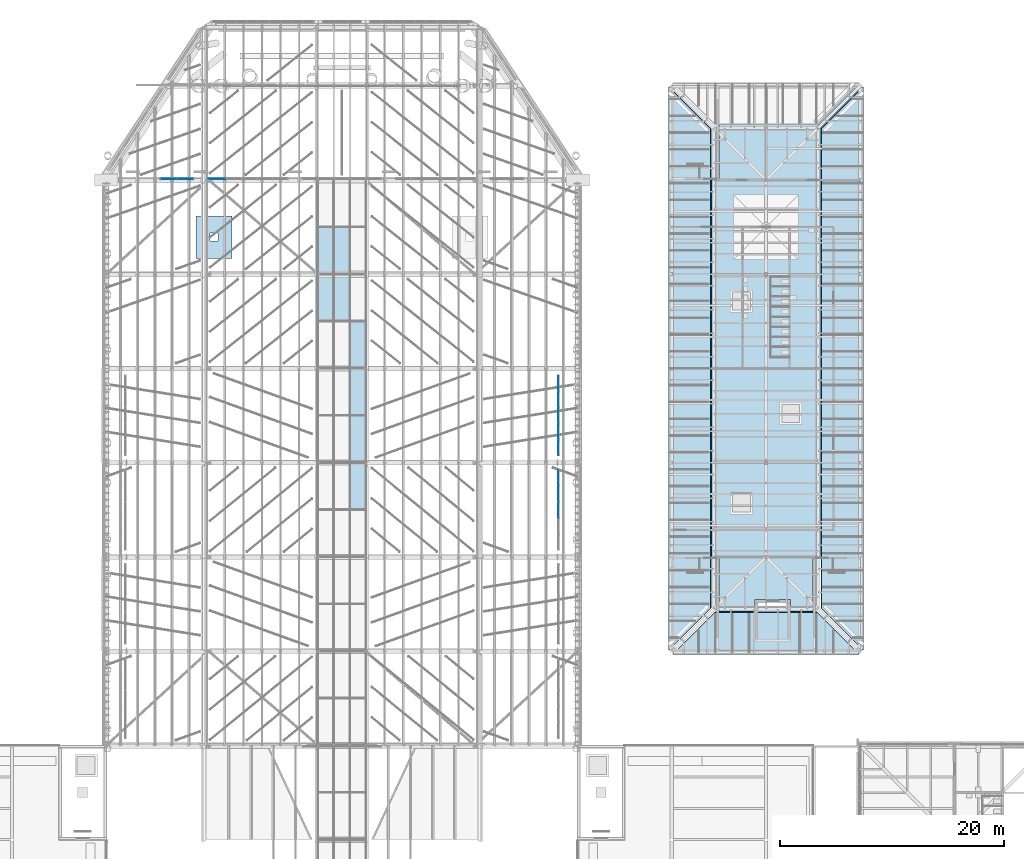
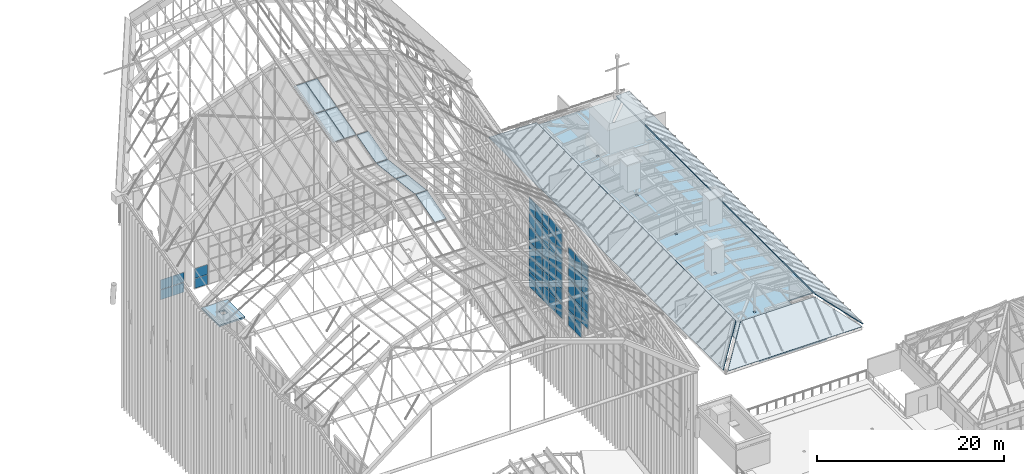
# One storey, part 75 of 126: 58 plates, 5 slabs, 4 elements without a shape of their own.
"""IFC4 building model written with IfcOpenShell, lengths in metres."""

from ifc_helpers import new_model, si_unit, direction, frame, origin, origin_2d, place, context, subcontext, project, spatial, polyline, rectangle, outline, extrude, material, layer, layer_set, type_object, element, aggregate, save


model = new_model("IFC4")

# Units and contexts
model_context = context("Model", 3, precision=1e-05, world=origin(), true_north=direction((0.0, 1.0)))
body_context = subcontext(model_context, "Body", "Model", "MODEL_VIEW")
ifc_project = project(units=[si_unit("LENGTHUNIT", "METRE"), si_unit("AREAUNIT", "SQUARE_METRE"), si_unit("VOLUMEUNIT", "CUBIC_METRE"), si_unit("PLANEANGLEUNIT", "RADIAN"), si_unit("MASSUNIT", "GRAM", prefix="KILO")], contexts=[model_context])

# Site, building, storey
site_placement = place(None, origin())
site = spatial("IfcSite", under=ifc_project, at=site_placement, CompositionType="ELEMENT")
building_placement = place(site_placement, origin())
building = spatial("IfcBuilding", under=site, at=building_placement, Name="Sava Quay Ferry Terminal", CompositionType="ELEMENT")
storey_placement = place(building_placement, frame((0.0, 0.0, 15.0)))
storey = spatial("IfcBuildingStorey", under=building, at=storey_placement, Name="L03", CompositionType="ELEMENT", Elevation=15.0)

# Slab
ifc_material_1 = material(Name="Concrete C30/37", Category="concrete")
ifc_layer_1 = layer(ifc_material_1, 0.1298828125)
ifc_layer_set_1 = layer_set([ifc_layer_1], Name="Concrete C30/37")
slab_type_1 = type_object("IfcSlabType", Name="Composite floor slab 130", PredefinedType="FLOOR", material=ifc_layer_set_1)
slab_1_placement = place(storey_placement, frame((0.0, 0.0, -0.1298828125)))
element("IfcSlab", 1, at=slab_1_placement, inside=storey, type_object=slab_type_1, Name="O floor slab L03", PredefinedType="FLOOR", context=body_context, shape_type="SweptSolid", body=[
    extrude(outline(polyline([(96.60009765625, 67.199951171875), (92.550048828125, 67.199951171875), (92.550048828125, 100.800048828125), (96.60009765625, 100.800048828125), (96.60009765625, 109.050048828125), (108.837890625, 109.050048828125), (105.27587890625, 105.48779296875), (105.48779296875, 105.27587890625), (109.050048828125, 108.837890625), (109.050048828125, 67.199951171875), (105.0, 67.199951171875), (105.0, 58.949951171875), (96.60009765625, 58.949951171875), (96.60009765625, 67.199951171875)]), holes=[polyline([(100.93994140625, 67.06005859375), (100.93994140625, 67.340087890625), (100.659912109375, 67.340087890625), (100.659912109375, 67.06005859375), (100.93994140625, 67.06005859375)]), polyline([(100.659912109375, 75.4599609375), (100.93994140625, 75.4599609375), (100.93994140625, 75.739990234375), (100.659912109375, 75.739990234375), (100.659912109375, 75.4599609375)]), polyline([(100.659912109375, 83.860107421875), (100.93994140625, 83.860107421875), (100.93994140625, 84.139892578125), (100.659912109375, 84.139892578125), (100.659912109375, 83.860107421875)]), polyline([(100.93994140625, 92.260009765625), (100.93994140625, 92.5400390625), (100.659912109375, 92.5400390625), (100.659912109375, 92.260009765625), (100.93994140625, 92.260009765625)]), polyline([(100.659912109375, 100.659912109375), (100.93994140625, 100.659912109375), (100.93994140625, 100.93994140625), (100.659912109375, 100.93994140625), (100.659912109375, 100.659912109375)]), polyline([(99.800048828125, 59.60009765625), (103.0, 59.60009765625), (103.0, 63.39990234375), (99.800048828125, 63.39990234375), (99.800048828125, 59.60009765625)])]), origin(), (0.0, 0.0, 1.0), 0.1298828125),
])

# Curtain wall, plates
ifc_material_2 = material(Name="Aluminium and glass curtain wall, double low-e glazed", Category="aluminium")
curtain_wall_type_1 = type_object("IfcCurtainWallType", Name="Curtain wall CW-F flank", PredefinedType="NOTDEFINED", material=ifc_material_2)
curtain_wall_1_placement = place(storey_placement, origin())
curtain_wall_1 = element("IfcCurtainWall", 2, at=curtain_wall_1_placement, inside=storey, type_object=curtain_wall_type_1, Name="Curtain wall D-E L03 bay 3", PredefinedType="NOTDEFINED")
ifc_material_3 = material(Name="Laminated glass, double low-e glazed unit", Category="glass")
ifc_layer_2 = layer(ifc_material_3, 0.028076171875)
ifc_layer_set_2 = layer_set([ifc_layer_2], Name="Laminated glass, double low-e glazed unit")
plate_type_1 = type_object("IfcPlateType", Name="Glass panel 28 double low-e", PredefinedType="CURTAIN_PANEL", material=ifc_layer_set_2)
plate_1_placement = place(storey_placement, frame((82.27490234375, 71.39990234375, 2.10498046875), z_axis=(0.0, 0.0, 1.0), x_axis=(0.0, 1.0, 0.0)))
plate_1 = element("IfcPlate", 3, at=plate_1_placement, type_object=plate_type_1, Name="CW47 panel 3.2", PredefinedType="CURTAIN_PANEL", context=body_context, shape_type="SweptSolid", body=[
    extrude(rectangle(XDim=1.3798828125, YDim=0.028076171875, at=origin_2d()), origin(), (0.0, 0.0, 1.0), 2.030029296875),
])
plate_2_placement = place(storey_placement, frame((82.27490234375, 71.39990234375, 4.18505859375), z_axis=(0.0, 0.0, 1.0), x_axis=(0.0, 1.0, 0.0)))
plate_2 = element("IfcPlate", 4, at=plate_2_placement, type_object=plate_type_1, Name="CW47 panel 3.3", PredefinedType="CURTAIN_PANEL", context=body_context, shape_type="SweptSolid", body=[
    extrude(rectangle(XDim=1.3798828125, YDim=0.028076171875, at=origin_2d()), origin(), (0.0, 0.0, 1.0), 2.030029296875),
])
plate_3_placement = place(storey_placement, frame((82.27490234375, 71.39990234375, 6.26513671875), z_axis=(0.0, 0.0, 1.0), x_axis=(0.0, 1.0, 0.0)))
plate_3 = element("IfcPlate", 5, at=plate_3_placement, type_object=plate_type_1, Name="CW47 panel 3.4", PredefinedType="CURTAIN_PANEL", context=body_context, shape_type="SweptSolid", body=[
    extrude(rectangle(XDim=1.3798828125, YDim=0.028076171875, at=origin_2d()), origin(), (0.0, 0.0, 1.0), 2.030029296875),
])
plate_4_placement = place(storey_placement, frame((82.27490234375, 71.39990234375, 8.344970703125), z_axis=(0.0, 0.0, 1.0), x_axis=(0.0, 1.0, 0.0)))
plate_4 = element("IfcPlate", 6, at=plate_4_placement, type_object=plate_type_1, Name="CW47 panel 3.5", PredefinedType="CURTAIN_PANEL", context=body_context, shape_type="SweptSolid", body=[
    extrude(rectangle(XDim=1.3798828125, YDim=0.028076171875, at=origin_2d()), origin(), (0.0, 0.0, 1.0), 2.0048828125),
])
plate_5_placement = place(storey_placement, frame((82.27490234375, 72.840087890625, 0.050048828125), z_axis=(0.0, 0.0, 1.0), x_axis=(0.0, 1.0, 0.0)))
plate_5 = element("IfcPlate", 7, at=plate_5_placement, type_object=plate_type_1, Name="CW47 panel 4.1", PredefinedType="CURTAIN_PANEL", context=body_context, shape_type="SweptSolid", body=[
    extrude(rectangle(XDim=1.3798828125, YDim=0.028076171875, at=origin_2d()), origin(), (0.0, 0.0, 1.0), 2.0048828125),
])
plate_6_placement = place(storey_placement, frame((82.27490234375, 72.840087890625, 2.10498046875), z_axis=(0.0, 0.0, 1.0), x_axis=(0.0, 1.0, 0.0)))
plate_6 = element("IfcPlate", 8, at=plate_6_placement, type_object=plate_type_1, Name="CW47 panel 4.2", PredefinedType="CURTAIN_PANEL", context=body_context, shape_type="SweptSolid", body=[
    extrude(rectangle(XDim=1.3798828125, YDim=0.028076171875, at=origin_2d()), origin(), (0.0, 0.0, 1.0), 2.030029296875),
])
plate_7_placement = place(storey_placement, frame((82.27490234375, 72.840087890625, 4.18505859375), z_axis=(0.0, 0.0, 1.0), x_axis=(0.0, 1.0, 0.0)))
plate_7 = element("IfcPlate", 9, at=plate_7_placement, type_object=plate_type_1, Name="CW47 panel 4.3", PredefinedType="CURTAIN_PANEL", context=body_context, shape_type="SweptSolid", body=[
    extrude(rectangle(XDim=1.3798828125, YDim=0.028076171875, at=origin_2d()), origin(), (0.0, 0.0, 1.0), 2.030029296875),
])
plate_8_placement = place(storey_placement, frame((82.27490234375, 72.840087890625, 6.26513671875), z_axis=(0.0, 0.0, 1.0), x_axis=(0.0, 1.0, 0.0)))
plate_8 = element("IfcPlate", 10, at=plate_8_placement, type_object=plate_type_1, Name="CW47 panel 4.4", PredefinedType="CURTAIN_PANEL", context=body_context, shape_type="SweptSolid", body=[
    extrude(rectangle(XDim=1.3798828125, YDim=0.028076171875, at=origin_2d()), origin(), (0.0, 0.0, 1.0), 2.030029296875),
])
plate_9_placement = place(storey_placement, frame((82.27490234375, 72.840087890625, 8.344970703125), z_axis=(0.0, 0.0, 1.0), x_axis=(0.0, 1.0, 0.0)))
plate_9 = element("IfcPlate", 11, at=plate_9_placement, type_object=plate_type_1, Name="CW47 panel 4.5", PredefinedType="CURTAIN_PANEL", context=body_context, shape_type="SweptSolid", body=[
    extrude(rectangle(XDim=1.3798828125, YDim=0.028076171875, at=origin_2d()), origin(), (0.0, 0.0, 1.0), 2.0048828125),
])
plate_10_placement = place(storey_placement, frame((82.27490234375, 74.264892578125, 0.050048828125), z_axis=(0.0, 0.0, 1.0), x_axis=(0.0, 1.0, 0.0)))
plate_10 = element("IfcPlate", 12, at=plate_10_placement, type_object=plate_type_1, Name="CW47 panel 5.1", PredefinedType="CURTAIN_PANEL", context=body_context, shape_type="SweptSolid", body=[
    extrude(rectangle(XDim=1.35009765625, YDim=0.028076171875, at=origin_2d()), origin(), (0.0, 0.0, 1.0), 2.0048828125),
])
plate_11_placement = place(storey_placement, frame((82.27490234375, 74.264892578125, 2.10498046875), z_axis=(0.0, 0.0, 1.0), x_axis=(0.0, 1.0, 0.0)))
plate_11 = element("IfcPlate", 13, at=plate_11_placement, type_object=plate_type_1, Name="CW47 panel 5.2", PredefinedType="CURTAIN_PANEL", context=body_context, shape_type="SweptSolid", body=[
    extrude(rectangle(XDim=1.35009765625, YDim=0.028076171875, at=origin_2d()), origin(), (0.0, 0.0, 1.0), 2.030029296875),
])
plate_12_placement = place(storey_placement, frame((82.27490234375, 74.264892578125, 4.18505859375), z_axis=(0.0, 0.0, 1.0), x_axis=(0.0, 1.0, 0.0)))
plate_12 = element("IfcPlate", 14, at=plate_12_placement, type_object=plate_type_1, Name="CW47 panel 5.3", PredefinedType="CURTAIN_PANEL", context=body_context, shape_type="SweptSolid", body=[
    extrude(rectangle(XDim=1.35009765625, YDim=0.028076171875, at=origin_2d()), origin(), (0.0, 0.0, 1.0), 2.030029296875),
])
plate_13_placement = place(storey_placement, frame((82.27490234375, 74.264892578125, 6.26513671875), z_axis=(0.0, 0.0, 1.0), x_axis=(0.0, 1.0, 0.0)))
plate_13 = element("IfcPlate", 15, at=plate_13_placement, type_object=plate_type_1, Name="CW47 panel 5.4", PredefinedType="CURTAIN_PANEL", context=body_context, shape_type="SweptSolid", body=[
    extrude(rectangle(XDim=1.35009765625, YDim=0.028076171875, at=origin_2d()), origin(), (0.0, 0.0, 1.0), 2.030029296875),
])
plate_14_placement = place(storey_placement, frame((82.27490234375, 74.264892578125, 8.344970703125), z_axis=(0.0, 0.0, 1.0), x_axis=(0.0, 1.0, 0.0)))
plate_14 = element("IfcPlate", 16, at=plate_14_placement, type_object=plate_type_1, Name="CW47 panel 5.5", PredefinedType="CURTAIN_PANEL", context=body_context, shape_type="SweptSolid", body=[
    extrude(rectangle(XDim=1.35009765625, YDim=0.028076171875, at=origin_2d()), origin(), (0.0, 0.0, 1.0), 2.0048828125),
])
aggregate(curtain_wall_1, [plate_1, plate_2, plate_3, plate_4, plate_5, plate_6, plate_7, plate_8, plate_9, plate_10, plate_11, plate_12, plate_13, plate_14])

curtain_wall_2_placement = place(storey_placement, origin())
curtain_wall_2 = element("IfcCurtainWall", 17, at=curtain_wall_2_placement, inside=storey, type_object=curtain_wall_type_1, Name="Curtain wall D-E L03 bay 4", PredefinedType="NOTDEFINED")
plate_15_placement = place(storey_placement, frame((82.27490234375, 76.93505859375, 0.050048828125), z_axis=(0.0, 0.0, 1.0), x_axis=(0.0, 1.0, 0.0)))
plate_15 = element("IfcPlate", 18, at=plate_15_placement, type_object=plate_type_1, Name="CW50 panel 1.1", PredefinedType="CURTAIN_PANEL", context=body_context, shape_type="SweptSolid", body=[
    extrude(rectangle(XDim=1.35009765625, YDim=0.028076171875, at=origin_2d()), origin(), (0.0, 0.0, 1.0), 1.88330078125),
])
plate_16_placement = place(storey_placement, frame((82.27490234375, 76.93505859375, 1.9833984375), z_axis=(0.0, 0.0, 1.0), x_axis=(0.0, 1.0, 0.0)))
plate_16 = element("IfcPlate", 19, at=plate_16_placement, type_object=plate_type_1, Name="CW50 panel 1.2", PredefinedType="CURTAIN_PANEL", context=body_context, shape_type="SweptSolid", body=[
    extrude(rectangle(XDim=1.35009765625, YDim=0.028076171875, at=origin_2d()), origin(), (0.0, 0.0, 1.0), 1.908447265625),
])
plate_17_placement = place(storey_placement, frame((82.27490234375, 76.93505859375, 3.941650390625), z_axis=(0.0, 0.0, 1.0), x_axis=(0.0, 1.0, 0.0)))
plate_17 = element("IfcPlate", 20, at=plate_17_placement, type_object=plate_type_1, Name="CW50 panel 1.3", PredefinedType="CURTAIN_PANEL", context=body_context, shape_type="SweptSolid", body=[
    extrude(rectangle(XDim=1.35009765625, YDim=0.028076171875, at=origin_2d()), origin(), (0.0, 0.0, 1.0), 1.908203125),
])
plate_18_placement = place(storey_placement, frame((82.27490234375, 76.93505859375, 5.900146484375), z_axis=(0.0, 0.0, 1.0), x_axis=(0.0, 1.0, 0.0)))
plate_18 = element("IfcPlate", 21, at=plate_18_placement, type_object=plate_type_1, Name="CW50 panel 1.4", PredefinedType="CURTAIN_PANEL", context=body_context, shape_type="SweptSolid", body=[
    extrude(rectangle(XDim=1.35009765625, YDim=0.028076171875, at=origin_2d()), origin(), (0.0, 0.0, 1.0), 1.908203125),
])
plate_19_placement = place(storey_placement, frame((82.27490234375, 76.93505859375, 7.8583984375), z_axis=(0.0, 0.0, 1.0), x_axis=(0.0, 1.0, 0.0)))
plate_19 = element("IfcPlate", 22, at=plate_19_placement, type_object=plate_type_1, Name="CW50 panel 1.5", PredefinedType="CURTAIN_PANEL", context=body_context, shape_type="SweptSolid", body=[
    extrude(rectangle(XDim=1.35009765625, YDim=0.028076171875, at=origin_2d()), origin(), (0.0, 0.0, 1.0), 1.908447265625),
])
plate_20_placement = place(storey_placement, frame((82.27490234375, 76.93505859375, 9.816650390625), z_axis=(0.0, 0.0, 1.0), x_axis=(0.0, 1.0, 0.0)))
plate_20 = element("IfcPlate", 23, at=plate_20_placement, type_object=plate_type_1, Name="CW50 panel 1.6", PredefinedType="CURTAIN_PANEL", context=body_context, shape_type="SweptSolid", body=[
    extrude(rectangle(XDim=1.35009765625, YDim=0.028076171875, at=origin_2d()), origin(), (0.0, 0.0, 1.0), 1.88330078125),
])
plate_21_placement = place(storey_placement, frame((82.27490234375, 78.360107421875, 0.050048828125), z_axis=(0.0, 0.0, 1.0), x_axis=(0.0, 1.0, 0.0)))
plate_21 = element("IfcPlate", 24, at=plate_21_placement, type_object=plate_type_1, Name="CW50 panel 2.1", PredefinedType="CURTAIN_PANEL", context=body_context, shape_type="SweptSolid", body=[
    extrude(rectangle(XDim=1.3798828125, YDim=0.028076171875, at=origin_2d()), origin(), (0.0, 0.0, 1.0), 1.88330078125),
])
plate_22_placement = place(storey_placement, frame((82.27490234375, 78.360107421875, 1.9833984375), z_axis=(0.0, 0.0, 1.0), x_axis=(0.0, 1.0, 0.0)))
plate_22 = element("IfcPlate", 25, at=plate_22_placement, type_object=plate_type_1, Name="CW50 panel 2.2", PredefinedType="CURTAIN_PANEL", context=body_context, shape_type="SweptSolid", body=[
    extrude(rectangle(XDim=1.3798828125, YDim=0.028076171875, at=origin_2d()), origin(), (0.0, 0.0, 1.0), 1.908447265625),
])
plate_23_placement = place(storey_placement, frame((82.27490234375, 78.360107421875, 3.941650390625), z_axis=(0.0, 0.0, 1.0), x_axis=(0.0, 1.0, 0.0)))
plate_23 = element("IfcPlate", 26, at=plate_23_placement, type_object=plate_type_1, Name="CW50 panel 2.3", PredefinedType="CURTAIN_PANEL", context=body_context, shape_type="SweptSolid", body=[
    extrude(rectangle(XDim=1.3798828125, YDim=0.028076171875, at=origin_2d()), origin(), (0.0, 0.0, 1.0), 1.908203125),
])
plate_24_placement = place(storey_placement, frame((82.27490234375, 78.360107421875, 5.900146484375), z_axis=(0.0, 0.0, 1.0), x_axis=(0.0, 1.0, 0.0)))
plate_24 = element("IfcPlate", 27, at=plate_24_placement, type_object=plate_type_1, Name="CW50 panel 2.4", PredefinedType="CURTAIN_PANEL", context=body_context, shape_type="SweptSolid", body=[
    extrude(rectangle(XDim=1.3798828125, YDim=0.028076171875, at=origin_2d()), origin(), (0.0, 0.0, 1.0), 1.908203125),
])
plate_25_placement = place(storey_placement, frame((82.27490234375, 78.360107421875, 7.8583984375), z_axis=(0.0, 0.0, 1.0), x_axis=(0.0, 1.0, 0.0)))
plate_25 = element("IfcPlate", 28, at=plate_25_placement, type_object=plate_type_1, Name="CW50 panel 2.5", PredefinedType="CURTAIN_PANEL", context=body_context, shape_type="SweptSolid", body=[
    extrude(rectangle(XDim=1.3798828125, YDim=0.028076171875, at=origin_2d()), origin(), (0.0, 0.0, 1.0), 1.908447265625),
])
plate_26_placement = place(storey_placement, frame((82.27490234375, 78.360107421875, 9.816650390625), z_axis=(0.0, 0.0, 1.0), x_axis=(0.0, 1.0, 0.0)))
plate_26 = element("IfcPlate", 29, at=plate_26_placement, type_object=plate_type_1, Name="CW50 panel 2.6", PredefinedType="CURTAIN_PANEL", context=body_context, shape_type="SweptSolid", body=[
    extrude(rectangle(XDim=1.3798828125, YDim=0.028076171875, at=origin_2d()), origin(), (0.0, 0.0, 1.0), 1.88330078125),
])
plate_27_placement = place(storey_placement, frame((82.27490234375, 79.800048828125, 0.050048828125), z_axis=(0.0, 0.0, 1.0), x_axis=(0.0, 1.0, 0.0)))
plate_27 = element("IfcPlate", 30, at=plate_27_placement, type_object=plate_type_1, Name="CW50 panel 3.1", PredefinedType="CURTAIN_PANEL", context=body_context, shape_type="SweptSolid", body=[
    extrude(rectangle(XDim=1.3798828125, YDim=0.028076171875, at=origin_2d()), origin(), (0.0, 0.0, 1.0), 1.88330078125),
])
plate_28_placement = place(storey_placement, frame((82.27490234375, 79.800048828125, 1.9833984375), z_axis=(0.0, 0.0, 1.0), x_axis=(0.0, 1.0, 0.0)))
plate_28 = element("IfcPlate", 31, at=plate_28_placement, type_object=plate_type_1, Name="CW50 panel 3.2", PredefinedType="CURTAIN_PANEL", context=body_context, shape_type="SweptSolid", body=[
    extrude(rectangle(XDim=1.3798828125, YDim=0.028076171875, at=origin_2d()), origin(), (0.0, 0.0, 1.0), 1.908447265625),
])
plate_29_placement = place(storey_placement, frame((82.27490234375, 79.800048828125, 3.941650390625), z_axis=(0.0, 0.0, 1.0), x_axis=(0.0, 1.0, 0.0)))
plate_29 = element("IfcPlate", 32, at=plate_29_placement, type_object=plate_type_1, Name="CW50 panel 3.3", PredefinedType="CURTAIN_PANEL", context=body_context, shape_type="SweptSolid", body=[
    extrude(rectangle(XDim=1.3798828125, YDim=0.028076171875, at=origin_2d()), origin(), (0.0, 0.0, 1.0), 1.908203125),
])
plate_30_placement = place(storey_placement, frame((82.27490234375, 79.800048828125, 5.900146484375), z_axis=(0.0, 0.0, 1.0), x_axis=(0.0, 1.0, 0.0)))
plate_30 = element("IfcPlate", 33, at=plate_30_placement, type_object=plate_type_1, Name="CW50 panel 3.4", PredefinedType="CURTAIN_PANEL", context=body_context, shape_type="SweptSolid", body=[
    extrude(rectangle(XDim=1.3798828125, YDim=0.028076171875, at=origin_2d()), origin(), (0.0, 0.0, 1.0), 1.908203125),
])
plate_31_placement = place(storey_placement, frame((82.27490234375, 79.800048828125, 7.8583984375), z_axis=(0.0, 0.0, 1.0), x_axis=(0.0, 1.0, 0.0)))
plate_31 = element("IfcPlate", 34, at=plate_31_placement, type_object=plate_type_1, Name="CW50 panel 3.5", PredefinedType="CURTAIN_PANEL", context=body_context, shape_type="SweptSolid", body=[
    extrude(rectangle(XDim=1.3798828125, YDim=0.028076171875, at=origin_2d()), origin(), (0.0, 0.0, 1.0), 1.908447265625),
])
plate_32_placement = place(storey_placement, frame((82.27490234375, 79.800048828125, 9.816650390625), z_axis=(0.0, 0.0, 1.0), x_axis=(0.0, 1.0, 0.0)))
plate_32 = element("IfcPlate", 35, at=plate_32_placement, type_object=plate_type_1, Name="CW50 panel 3.6", PredefinedType="CURTAIN_PANEL", context=body_context, shape_type="SweptSolid", body=[
    extrude(rectangle(XDim=1.3798828125, YDim=0.028076171875, at=origin_2d()), origin(), (0.0, 0.0, 1.0), 1.88330078125),
])
plate_33_placement = place(storey_placement, frame((82.27490234375, 81.239990234375, 0.050048828125), z_axis=(0.0, 0.0, 1.0), x_axis=(0.0, 1.0, 0.0)))
plate_33 = element("IfcPlate", 36, at=plate_33_placement, type_object=plate_type_1, Name="CW50 panel 4.1", PredefinedType="CURTAIN_PANEL", context=body_context, shape_type="SweptSolid", body=[
    extrude(rectangle(XDim=1.3798828125, YDim=0.028076171875, at=origin_2d()), origin(), (0.0, 0.0, 1.0), 1.88330078125),
])
plate_34_placement = place(storey_placement, frame((82.27490234375, 81.239990234375, 1.9833984375), z_axis=(0.0, 0.0, 1.0), x_axis=(0.0, 1.0, 0.0)))
plate_34 = element("IfcPlate", 37, at=plate_34_placement, type_object=plate_type_1, Name="CW50 panel 4.2", PredefinedType="CURTAIN_PANEL", context=body_context, shape_type="SweptSolid", body=[
    extrude(rectangle(XDim=1.3798828125, YDim=0.028076171875, at=origin_2d()), origin(), (0.0, 0.0, 1.0), 1.908447265625),
])
plate_35_placement = place(storey_placement, frame((82.27490234375, 81.239990234375, 3.941650390625), z_axis=(0.0, 0.0, 1.0), x_axis=(0.0, 1.0, 0.0)))
plate_35 = element("IfcPlate", 38, at=plate_35_placement, type_object=plate_type_1, Name="CW50 panel 4.3", PredefinedType="CURTAIN_PANEL", context=body_context, shape_type="SweptSolid", body=[
    extrude(rectangle(XDim=1.3798828125, YDim=0.028076171875, at=origin_2d()), origin(), (0.0, 0.0, 1.0), 1.908203125),
])
plate_36_placement = place(storey_placement, frame((82.27490234375, 81.239990234375, 5.900146484375), z_axis=(0.0, 0.0, 1.0), x_axis=(0.0, 1.0, 0.0)))
plate_36 = element("IfcPlate", 39, at=plate_36_placement, type_object=plate_type_1, Name="CW50 panel 4.4", PredefinedType="CURTAIN_PANEL", context=body_context, shape_type="SweptSolid", body=[
    extrude(rectangle(XDim=1.3798828125, YDim=0.028076171875, at=origin_2d()), origin(), (0.0, 0.0, 1.0), 1.908203125),
])
plate_37_placement = place(storey_placement, frame((82.27490234375, 81.239990234375, 7.8583984375), z_axis=(0.0, 0.0, 1.0), x_axis=(0.0, 1.0, 0.0)))
plate_37 = element("IfcPlate", 40, at=plate_37_placement, type_object=plate_type_1, Name="CW50 panel 4.5", PredefinedType="CURTAIN_PANEL", context=body_context, shape_type="SweptSolid", body=[
    extrude(rectangle(XDim=1.3798828125, YDim=0.028076171875, at=origin_2d()), origin(), (0.0, 0.0, 1.0), 1.908447265625),
])
plate_38_placement = place(storey_placement, frame((82.27490234375, 81.239990234375, 9.816650390625), z_axis=(0.0, 0.0, 1.0), x_axis=(0.0, 1.0, 0.0)))
plate_38 = element("IfcPlate", 41, at=plate_38_placement, type_object=plate_type_1, Name="CW50 panel 4.6", PredefinedType="CURTAIN_PANEL", context=body_context, shape_type="SweptSolid", body=[
    extrude(rectangle(XDim=1.3798828125, YDim=0.028076171875, at=origin_2d()), origin(), (0.0, 0.0, 1.0), 1.88330078125),
])
plate_39_placement = place(storey_placement, frame((82.27490234375, 82.6650390625, 0.050048828125), z_axis=(0.0, 0.0, 1.0), x_axis=(0.0, 1.0, 0.0)))
plate_39 = element("IfcPlate", 42, at=plate_39_placement, type_object=plate_type_1, Name="CW50 panel 5.1", PredefinedType="CURTAIN_PANEL", context=body_context, shape_type="SweptSolid", body=[
    extrude(rectangle(XDim=1.35009765625, YDim=0.028076171875, at=origin_2d()), origin(), (0.0, 0.0, 1.0), 1.88330078125),
])
plate_40_placement = place(storey_placement, frame((82.27490234375, 82.6650390625, 1.9833984375), z_axis=(0.0, 0.0, 1.0), x_axis=(0.0, 1.0, 0.0)))
plate_40 = element("IfcPlate", 43, at=plate_40_placement, type_object=plate_type_1, Name="CW50 panel 5.2", PredefinedType="CURTAIN_PANEL", context=body_context, shape_type="SweptSolid", body=[
    extrude(rectangle(XDim=1.35009765625, YDim=0.028076171875, at=origin_2d()), origin(), (0.0, 0.0, 1.0), 1.908447265625),
])
plate_41_placement = place(storey_placement, frame((82.27490234375, 82.6650390625, 3.941650390625), z_axis=(0.0, 0.0, 1.0), x_axis=(0.0, 1.0, 0.0)))
plate_41 = element("IfcPlate", 44, at=plate_41_placement, type_object=plate_type_1, Name="CW50 panel 5.3", PredefinedType="CURTAIN_PANEL", context=body_context, shape_type="SweptSolid", body=[
    extrude(rectangle(XDim=1.35009765625, YDim=0.028076171875, at=origin_2d()), origin(), (0.0, 0.0, 1.0), 1.908203125),
])
plate_42_placement = place(storey_placement, frame((82.27490234375, 82.6650390625, 5.900146484375), z_axis=(0.0, 0.0, 1.0), x_axis=(0.0, 1.0, 0.0)))
plate_42 = element("IfcPlate", 45, at=plate_42_placement, type_object=plate_type_1, Name="CW50 panel 5.4", PredefinedType="CURTAIN_PANEL", context=body_context, shape_type="SweptSolid", body=[
    extrude(rectangle(XDim=1.35009765625, YDim=0.028076171875, at=origin_2d()), origin(), (0.0, 0.0, 1.0), 1.908203125),
])
plate_43_placement = place(storey_placement, frame((82.27490234375, 82.6650390625, 7.8583984375), z_axis=(0.0, 0.0, 1.0), x_axis=(0.0, 1.0, 0.0)))
plate_43 = element("IfcPlate", 46, at=plate_43_placement, type_object=plate_type_1, Name="CW50 panel 5.5", PredefinedType="CURTAIN_PANEL", context=body_context, shape_type="SweptSolid", body=[
    extrude(rectangle(XDim=1.35009765625, YDim=0.028076171875, at=origin_2d()), origin(), (0.0, 0.0, 1.0), 1.908447265625),
])
plate_44_placement = place(storey_placement, frame((82.27490234375, 82.6650390625, 9.816650390625), z_axis=(0.0, 0.0, 1.0), x_axis=(0.0, 1.0, 0.0)))
plate_44 = element("IfcPlate", 47, at=plate_44_placement, type_object=plate_type_1, Name="CW50 panel 5.6", PredefinedType="CURTAIN_PANEL", context=body_context, shape_type="SweptSolid", body=[
    extrude(rectangle(XDim=1.35009765625, YDim=0.028076171875, at=origin_2d()), origin(), (0.0, 0.0, 1.0), 1.88330078125),
])
aggregate(curtain_wall_2, [plate_15, plate_16, plate_17, plate_18, plate_19, plate_20, plate_21, plate_22, plate_23, plate_24, plate_25, plate_26, plate_27, plate_28, plate_29, plate_30, plate_31, plate_32, plate_33, plate_34, plate_35, plate_36, plate_37, plate_38, plate_39, plate_40, plate_41, plate_42, plate_43, plate_44])

ifc_material_4 = material(Name="Aluminium and glass curtain wall, double low-e glazed", Category="aluminium")
curtain_wall_type_2 = type_object("IfcCurtainWallType", Name="Curtain wall CW-G gable", PredefinedType="NOTDEFINED", material=ifc_material_4)
curtain_wall_3_placement = place(storey_placement, origin())
curtain_wall_3 = element("IfcCurtainWall", 48, at=curtain_wall_3_placement, inside=storey, type_object=curtain_wall_type_2, Name="Curtain wall D-N L03 bay 11", PredefinedType="NOTDEFINED")
plate_45_placement = place(storey_placement, frame((47.550048828125, 100.885009765625, 0.050048828125), z_axis=(0.0, 0.0, 1.0), x_axis=(1.0, 0.0, 0.0)))
plate_45 = element("IfcPlate", 49, at=plate_45_placement, type_object=plate_type_1, Name="CW60 panel 1.1", PredefinedType="CURTAIN_PANEL", context=body_context, shape_type="SweptSolid", body=[
    extrude(rectangle(XDim=1.419921875, YDim=0.028076171875, at=origin_2d()), origin(), (0.0, 0.0, 1.0), 1.27490234375),
])
plate_46_placement = place(storey_placement, frame((47.550048828125, 100.885009765625, 1.375), z_axis=(0.0, 0.0, 1.0), x_axis=(1.0, 0.0, 0.0)))
plate_46 = element("IfcPlate", 50, at=plate_46_placement, type_object=plate_type_1, Name="CW60 panel 1.2", PredefinedType="CURTAIN_PANEL", context=body_context, shape_type="SweptSolid", body=[
    extrude(rectangle(XDim=1.419921875, YDim=0.028076171875, at=origin_2d()), origin(), (0.0, 0.0, 1.0), 1.27490234375),
])
plate_47_placement = place(storey_placement, frame((49.030029296875, 100.885009765625, 0.050048828125), z_axis=(0.0, 0.0, 1.0), x_axis=(1.0, 0.0, 0.0)))
plate_47 = element("IfcPlate", 51, at=plate_47_placement, type_object=plate_type_1, Name="CW60 panel 2.1", PredefinedType="CURTAIN_PANEL", context=body_context, shape_type="SweptSolid", body=[
    extrude(rectangle(XDim=1.419921875, YDim=0.028076171875, at=origin_2d()), origin(), (0.0, 0.0, 1.0), 1.27490234375),
])
plate_48_placement = place(storey_placement, frame((49.030029296875, 100.885009765625, 1.375), z_axis=(0.0, 0.0, 1.0), x_axis=(1.0, 0.0, 0.0)))
plate_48 = element("IfcPlate", 52, at=plate_48_placement, type_object=plate_type_1, Name="CW60 panel 2.2", PredefinedType="CURTAIN_PANEL", context=body_context, shape_type="SweptSolid", body=[
    extrude(rectangle(XDim=1.419921875, YDim=0.028076171875, at=origin_2d()), origin(), (0.0, 0.0, 1.0), 1.27490234375),
])
aggregate(curtain_wall_3, [plate_45, plate_46, plate_47, plate_48])

curtain_wall_4_placement = place(storey_placement, origin())
curtain_wall_4 = element("IfcCurtainWall", 53, at=curtain_wall_4_placement, inside=storey, type_object=curtain_wall_type_2, Name="Curtain wall D-N L03 bay 12", PredefinedType="NOTDEFINED")
plate_49_placement = place(storey_placement, frame((51.85009765625, 100.885009765625, 0.050048828125), z_axis=(0.0, 0.0, 1.0), x_axis=(1.0, 0.0, 0.0)))
plate_49 = element("IfcPlate", 54, at=plate_49_placement, type_object=plate_type_1, Name="CW64 panel 1.1", PredefinedType="CURTAIN_PANEL", context=body_context, shape_type="SweptSolid", body=[
    extrude(rectangle(XDim=1.580078125, YDim=0.028076171875, at=origin_2d()), origin(), (0.0, 0.0, 1.0), 1.27490234375),
])
plate_50_placement = place(storey_placement, frame((51.85009765625, 100.885009765625, 1.375), z_axis=(0.0, 0.0, 1.0), x_axis=(1.0, 0.0, 0.0)))
plate_50 = element("IfcPlate", 55, at=plate_50_placement, type_object=plate_type_1, Name="CW64 panel 1.2", PredefinedType="CURTAIN_PANEL", context=body_context, shape_type="SweptSolid", body=[
    extrude(rectangle(XDim=1.580078125, YDim=0.028076171875, at=origin_2d()), origin(), (0.0, 0.0, 1.0), 1.27490234375),
])
aggregate(curtain_wall_4, [plate_49, plate_50])

# Slabs
ifc_material_5 = material(Name="Concrete C35/45", Category="concrete")
ifc_layer_3 = layer(ifc_material_5, 0.199951171875)
ifc_layer_set_3 = layer_set([ifc_layer_3], Name="Concrete C35/45")
slab_type_2 = type_object("IfcSlabType", Name="RC core roof slab 200", PredefinedType="ROOF", material=ifc_layer_set_3)
slab_2_placement = place(storey_placement, frame((0.0, 0.0, -0.300048828125)))
element("IfcSlab", 56, at=slab_2_placement, inside=storey, type_object=slab_type_2, Name="Core roof slab LF-D2", PredefinedType="ROOF", context=body_context, shape_type="SweptSolid", body=[
    extrude(outline(polyline([(50.0, 93.800048828125), (53.199951171875, 93.800048828125), (53.199951171875, 97.60009765625), (50.0, 97.60009765625), (50.0, 93.800048828125)]), holes=[polyline([(51.25, 95.35009765625), (51.949951171875, 95.35009765625), (51.949951171875, 96.050048828125), (51.25, 96.050048828125), (51.25, 95.35009765625)])]), origin(), (0.0, 0.0, 1.0), 0.199951171875),
])
ifc_material_6 = material(Name="Cross laminated timber C24", Category="wood")
ifc_layer_4 = layer(ifc_material_6, 0.10009765625)
ifc_layer_set_4 = layer_set([ifc_layer_4], Name="Cross laminated timber C24")
slab_type_3 = type_object("IfcSlabType", Name="Roof deck CLT 100", PredefinedType="ROOF", material=ifc_layer_set_4)
slab_3_placement = place(storey_placement, frame((92.5029296875, 58.521240234375, 0.435791015625), z_axis=(0.0, -0.617828353519, 0.78631299467), x_axis=(0.618112504031, 0.618112504031, 0.485668472026)))
element("IfcSlab", 57, at=slab_3_placement, inside=storey, type_object=slab_type_3, Name="Mansard roof deck O-L0", PredefinedType="ROOF", context=body_context, shape_type="SweptSolid", body=[
    extrude(outline(polyline([(0.0, 0.0), (6.04987268294208, -6.661338147750939e-16), (11.683962120934133, -7.165199451338257), (10.257106176518542, -13.044558904713037), (0.0, 0.0)])), origin(), (0.0, 0.0, -1.0), 0.10009765625),
])
for number, where, z_axis, x_axis, name in (
    (58, (109.478759765625, 58.90283203125, 0.435791015625), (0.617828353519, 0.0, 0.78631299467), (-0.618097086075, 0.61813743974, 0.485656357702), "Mansard roof deck O-L1"),
    (59, (92.12109375, 109.09716796875, 0.435791015625), (-0.617828353519, 0.0, 0.78631299467), (0.618097086075, -0.61813743974, 0.485656357702), "Mansard roof deck O-L3"),
):
    element("IfcSlab", number, at=place(storey_placement, frame(where, z_axis=z_axis, x_axis=x_axis)), inside=storey, type_object=slab_type_3, Name=name, PredefinedType="ROOF", context=body_context, shape_type="SweptSolid", body=[
        extrude(outline(polyline([(0.0, 0.0), (6.050023592359083, 4.440892098500626e-16), (32.45366774689629, -33.57685887553342), (31.026998305876955, -39.456263588101095), (0.0, 0.0)])), origin(), (0.0, 0.0, -1.0), 0.10009765625),
    ])

# Plates
ifc_material_7 = material(Name="Laminated glass", Category="glass")
ifc_layer_5 = layer(ifc_material_7, 0.0400390625)
ifc_layer_set_5 = layer_set([ifc_layer_5], Name="Laminated glass")
plate_type_2 = type_object("IfcPlateType", Name="Skylight glass 40", PredefinedType="SHEET", material=ifc_layer_set_5)
plate_51_placement = place(storey_placement, frame((63.756103515625, 71.419921875, 22.09130859375), z_axis=(0.0, -0.27014336509, 0.962820109002), x_axis=(0.0, 0.962820109002, 0.27014336509)))
element("IfcPlate", 60, at=plate_51_placement, inside=storey, type_object=plate_type_2, Name="Departure hall skylight glass D-B2-F2-K21", PredefinedType="SHEET", context=body_context, shape_type="SweptSolid", body=[
    extrude(outline(polyline([(0.0, 0.0), (4.320803243623667, 0.0), (4.320803243623667, -1.43212890625), (0.0, -1.43212890625), (0.0, 0.0)])), origin(), (0.0, 0.0, -1.0), 0.0400390625),
])
for number, where, z_axis, x_axis, name in (
    (61, (63.757080078125, 75.6201171875, 23.240966796875), (0.0, 0.123124309789, 0.992391255674), (0.0, 0.992391255674, -0.123124309789), "Departure hall skylight glass D-B3-F2-K20"),
    (62, (63.757080078125, 79.820068359375, 22.719970703125), (0.0, 0.123124309789, 0.992391255674), (0.0, 0.992391255674, -0.123124309789), "Departure hall skylight glass D-B3-F2-K21"),
):
    element("IfcPlate", number, at=place(storey_placement, frame(where, z_axis=z_axis, x_axis=x_axis)), inside=storey, type_object=plate_type_2, Name=name, PredefinedType="SHEET", context=body_context, shape_type="SweptSolid", body=[
        extrude(outline(polyline([(0.0, 0.0), (4.191806493244578, 0.0), (4.191806493244578, -1.4343261718750002), (0.0, -1.4343261718750002), (0.0, 0.0)])), origin(), (0.0, 0.0, -1.0), 0.0400390625),
    ])
for number, where, z_axis, x_axis, name in (
    (63, (60.811767578125, 88.219970703125, 23.375244140625), (0.0, -0.263907655746, 0.96454795072), (0.0, 0.96454795072, 0.263907655746), "Departure hall skylight glass D-B4-F2-K01"),
    (64, (62.283935546875, 88.219970703125, 23.375244140625), (0.0, -0.263907655746, 0.96454795072), (0.0, 0.96454795072, 0.263907655746), "Departure hall skylight glass D-B4-F2-K11"),
):
    element("IfcPlate", number, at=place(storey_placement, frame(where, z_axis=z_axis, x_axis=x_axis)), inside=storey, type_object=plate_type_2, Name=name, PredefinedType="SHEET", context=body_context, shape_type="SweptSolid", body=[
        extrude(outline(polyline([(0.0, 0.0), (4.312810064309166, 0.0), (4.312810064309166, -1.4321289062500002), (0.0, -1.4321289062500002), (0.0, 0.0)])), origin(), (0.0, 0.0, -1.0), 0.0400390625),
    ])
plate_52_placement = place(storey_placement, frame((63.756103515625, 84.02001953125, 22.226318359375), z_axis=(0.0, -0.263854988926, 0.964562359217), x_axis=(0.0, 0.964562359217, 0.263854988926)))
element("IfcPlate", 65, at=plate_52_placement, inside=storey, type_object=plate_type_2, Name="Departure hall skylight glass D-B4-F2-K20", PredefinedType="SHEET", context=body_context, shape_type="SweptSolid", body=[
    extrude(outline(polyline([(0.0, 0.0), (4.312745640158156, 0.0), (4.312745640158156, -1.43212890625), (0.0, -1.43212890625), (0.0, 0.0)])), origin(), (0.0, 0.0, -1.0), 0.0400390625),
])
for number, where, z_axis, x_axis, name in (
    (66, (60.811767578125, 92.419921875, 24.5244140625), (0.0, -0.263840582409, 0.964566299989), (0.0, 0.964566299989, 0.263840582409), "Departure hall skylight glass D-B5-F2-K00"),
    (67, (62.283935546875, 92.419921875, 24.5244140625), (0.0, -0.263840582409, 0.964566299989), (0.0, 0.964566299989, 0.263840582409), "Departure hall skylight glass D-B5-F2-K10"),
):
    element("IfcPlate", number, at=place(storey_placement, frame(where, z_axis=z_axis, x_axis=x_axis)), inside=storey, type_object=plate_type_2, Name=name, PredefinedType="SHEET", context=body_context, shape_type="SweptSolid", body=[
        extrude(outline(polyline([(0.0, 0.0), (4.3129811294964515, 0.0), (4.3129811294964515, -1.43212890625), (0.0, -1.43212890625), (0.0, 0.0)])), origin(), (0.0, 0.0, -1.0), 0.0400390625),
    ])

save(model, "model.ifc")
